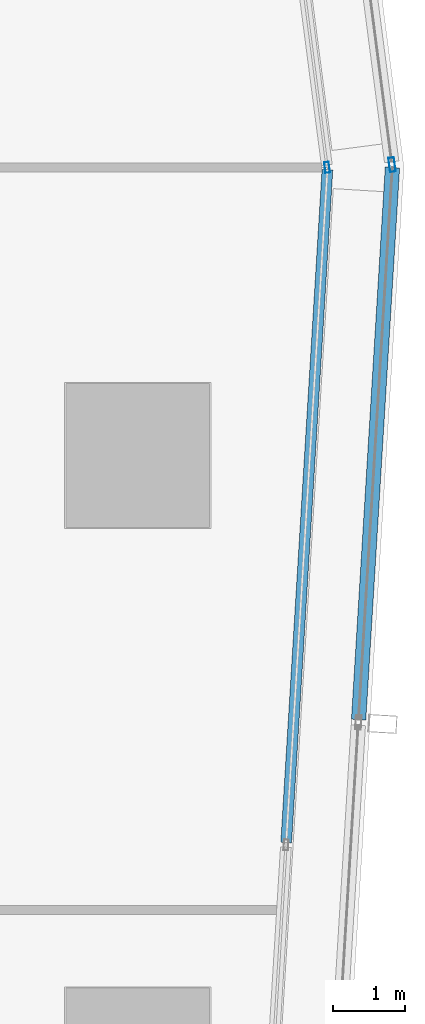
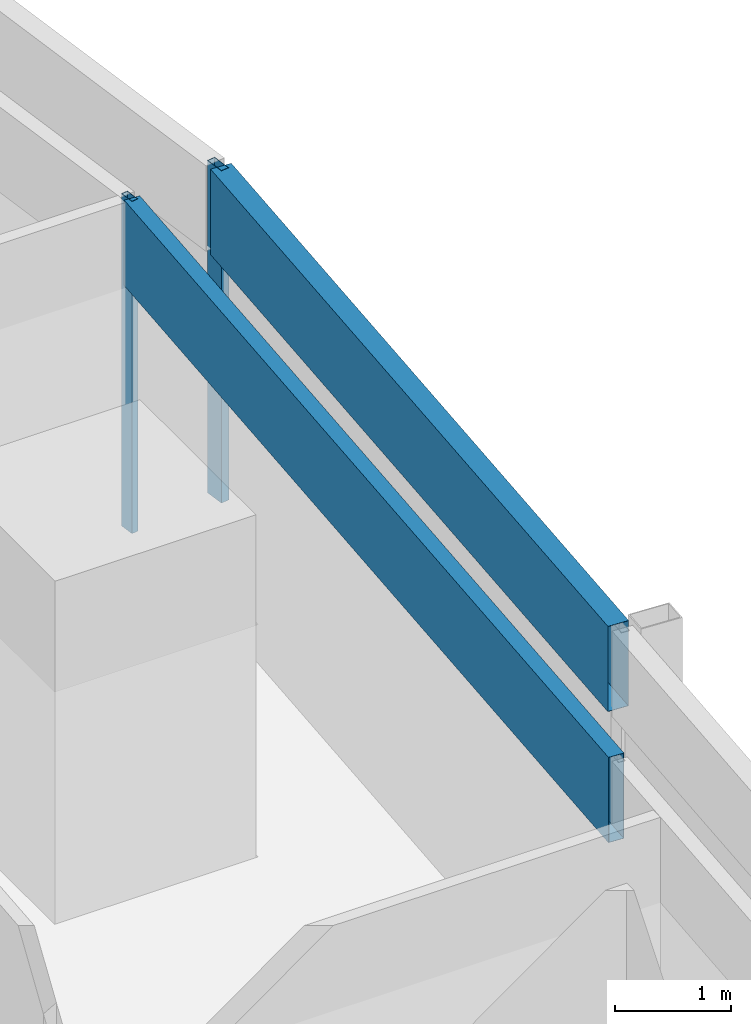
# One storey, part 25 of 39: 4 members, 4 elements without a shape of their own.
"""IFC4 building model written with IfcOpenShell, lengths in metres."""

from ifc_helpers import new_model, si_unit, direction, frame, origin, origin_2d, place, context, subcontext, project, spatial, hollow_rectangle, extrude, material, material_profile, profile_set, type_object, element, aggregate, save


model = new_model("IFC4")

# Units and contexts
model_context = context("Model", 3, precision=1e-05, world=origin(), true_north=direction((0.0, 1.0)))
body_context = subcontext(model_context, "Body", "Model", "MODEL_VIEW")
ifc_project = project(units=[si_unit("LENGTHUNIT", "METRE"), si_unit("AREAUNIT", "SQUARE_METRE"), si_unit("VOLUMEUNIT", "CUBIC_METRE"), si_unit("PLANEANGLEUNIT", "RADIAN"), si_unit("MASSUNIT", "GRAM", prefix="KILO")], contexts=[model_context])

# Site, building, storey
site_placement = place(None, origin())
site = spatial("IfcSite", under=ifc_project, at=site_placement, CompositionType="ELEMENT")
building_placement = place(site_placement, origin())
building = spatial("IfcBuilding", under=site, at=building_placement, Name="Rekha Terrace Tower", CompositionType="ELEMENT")
storey_placement = place(building_placement, frame((0.0, 0.0, 147.800048828125)))
storey = spatial("IfcBuildingStorey", under=building, at=storey_placement, Name="L37", CompositionType="ELEMENT", Elevation=147.800048828125)

# Curtain wall, member
ifc_material_1 = material(Name="Aluminium framing", Category="aluminium")
curtain_wall_type_1 = type_object("IfcCurtainWallType", Name="CW1 double skin inner glazing", PredefinedType="USERDEFINED", material=ifc_material_1)
curtain_wall_1_placement = place(storey_placement, origin())
curtain_wall_1 = element("IfcCurtainWall", 1, at=curtain_wall_1_placement, inside=storey, type_object=curtain_wall_type_1, Name="CW1 double skin inner glazing", ObjectType="DOUBLE SKIN INNER GLAZING", PredefinedType="USERDEFINED")
ifc_material_2 = material(Name="Aluminium mullion section", Category="aluminium")
ifc_material_profile_1 = material_profile(ifc_material_2, hollow_rectangle(XDim=0.06494140625, YDim=0.14990234375, WallThickness=0.00390625, at=origin_2d()), Name="AL RHS 65x150")
ifc_profile_set_1 = profile_set([ifc_material_profile_1], Name="Aluminium mullion section")
member_type_1 = type_object("IfcMemberType", Name="CW1 mullion RHS 65 x 150", PredefinedType="MULLION", material=ifc_profile_set_1)
member_1_placement = place(storey_placement, frame((69.83154296875, 46.00390625, 0.0), z_axis=(0.0, 0.0, 1.0), x_axis=(-0.991629186237, -0.129118383675, 0.0)))
member_1 = element("IfcMember", 2, at=member_1_placement, type_object=member_type_1, Name="CW1 mullion 1", PredefinedType="MULLION", context=body_context, shape_type="SweptSolid", body=[
    extrude(hollow_rectangle(XDim=0.06494140625, YDim=0.14990234375, WallThickness=0.00390625, at=origin_2d()), origin(), (0.0, 0.0, 1.0), 3.5),
])
aggregate(curtain_wall_1, [member_1])

curtain_wall_2_placement = place(storey_placement, origin())
curtain_wall_2 = element("IfcCurtainWall", 3, at=curtain_wall_2_placement, inside=storey, type_object=curtain_wall_type_1, Name="CW1 double skin inner glazing", ObjectType="DOUBLE SKIN INNER GLAZING", PredefinedType="USERDEFINED")
ifc_material_3 = material(Name="Insulated aluminium spandrel box", Category="aluminium")
ifc_material_profile_2 = material_profile(ifc_material_3, hollow_rectangle(XDim=0.14990234375, YDim=0.89990234375, WallThickness=0.0029296875, at=origin_2d()), Name="AL SPANDREL BOX 150x900")
ifc_profile_set_2 = profile_set([ifc_material_profile_2], Name="Insulated aluminium spandrel box")
member_type_2 = type_object("IfcMemberType", Name="CW1 spandrel transom 150 x 900", PredefinedType="USERDEFINED", material=ifc_profile_set_2)
member_2_placement = place(storey_placement, frame((69.262939453125, 36.6220703125, 3.050048828125), z_axis=(0.061145038118, 0.998128891634, 0.0), x_axis=(-0.998128891634, 0.061145038118, 0.0)))
member_2 = element("IfcMember", 4, at=member_2_placement, type_object=member_type_2, Name="CW1 spandrel transom 3", ObjectType="TRANSOM", PredefinedType="USERDEFINED", context=body_context, shape_type="SweptSolid", body=[
    extrude(hollow_rectangle(XDim=0.14990234375, YDim=0.89990234375, WallThickness=0.0029296875, at=origin_2d()), origin(), (0.0, 0.0, 1.0), 9.3671875),
])
aggregate(curtain_wall_2, [member_2])

curtain_wall_type_2 = type_object("IfcCurtainWallType", Name="CW2 double skin outer glazing", PredefinedType="USERDEFINED", material=ifc_material_1)
curtain_wall_3_placement = place(storey_placement, origin())
curtain_wall_3 = element("IfcCurtainWall", 5, at=curtain_wall_3_placement, inside=storey, type_object=curtain_wall_type_2, Name="CW2 double skin outer glazing", ObjectType="DOUBLE SKIN OUTER GLAZING", PredefinedType="USERDEFINED")
ifc_material_profile_3 = material_profile(ifc_material_2, hollow_rectangle(XDim=0.080078125, YDim=0.199951171875, WallThickness=0.00390625, at=origin_2d()), Name="AL RHS 80x200")
ifc_profile_set_3 = profile_set([ifc_material_profile_3], Name="Aluminium mullion section")
member_type_3 = type_object("IfcMemberType", Name="CW2 mullion RHS 80 x 200", PredefinedType="MULLION", material=ifc_profile_set_3)
member_3_placement = place(storey_placement, frame((70.734130859375, 46.042236328125, 0.0), z_axis=(0.0, 0.0, 1.0), x_axis=(-0.991629186244, -0.129118383623, 0.0)))
member_3 = element("IfcMember", 6, at=member_3_placement, type_object=member_type_3, Name="CW2 mullion 1", PredefinedType="MULLION", context=body_context, shape_type="SweptSolid", body=[
    extrude(hollow_rectangle(XDim=0.080078125, YDim=0.199951171875, WallThickness=0.00390625, at=origin_2d()), origin(), (0.0, 0.0, 1.0), 3.5),
])
aggregate(curtain_wall_3, [member_3])

curtain_wall_4_placement = place(storey_placement, origin())
curtain_wall_4 = element("IfcCurtainWall", 7, at=curtain_wall_4_placement, inside=storey, type_object=curtain_wall_type_2, Name="CW2 double skin outer glazing", ObjectType="DOUBLE SKIN OUTER GLAZING", PredefinedType="USERDEFINED")
ifc_material_profile_4 = material_profile(ifc_material_3, hollow_rectangle(XDim=0.199951171875, YDim=0.89990234375, WallThickness=0.0029296875, at=origin_2d()), Name="AL SPANDREL BOX 200x900")
ifc_profile_set_4 = profile_set([ifc_material_profile_4], Name="Insulated aluminium spandrel box")
member_type_4 = type_object("IfcMemberType", Name="CW2 spandrel transom 200 x 900", PredefinedType="USERDEFINED", material=ifc_profile_set_4)
member_4_placement = place(storey_placement, frame((70.269287109375, 38.330322265625, 3.050048828125), z_axis=(0.061142352683, 0.998129056139, 0.0), x_axis=(-0.998129056139, 0.061142352683, 0.0)))
member_4 = element("IfcMember", 8, at=member_4_placement, type_object=member_type_4, Name="CW2 spandrel transom 4", ObjectType="TRANSOM", PredefinedType="USERDEFINED", context=body_context, shape_type="SweptSolid", body=[
    extrude(hollow_rectangle(XDim=0.199951171875, YDim=0.89990234375, WallThickness=0.0029296875, at=origin_2d()), origin(), (0.0, 0.0, 1.0), 7.6865234375),
])
aggregate(curtain_wall_4, [member_4])

save(model, "model.ifc")
